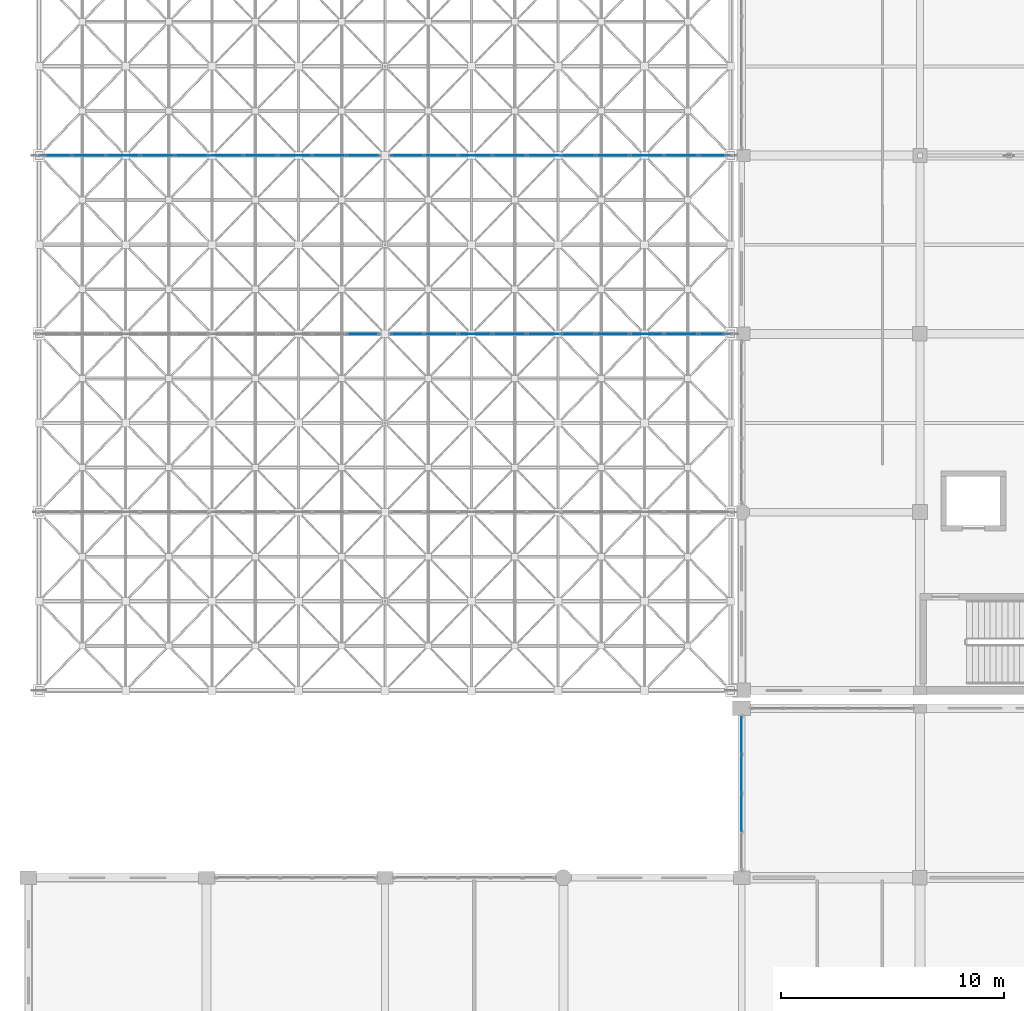
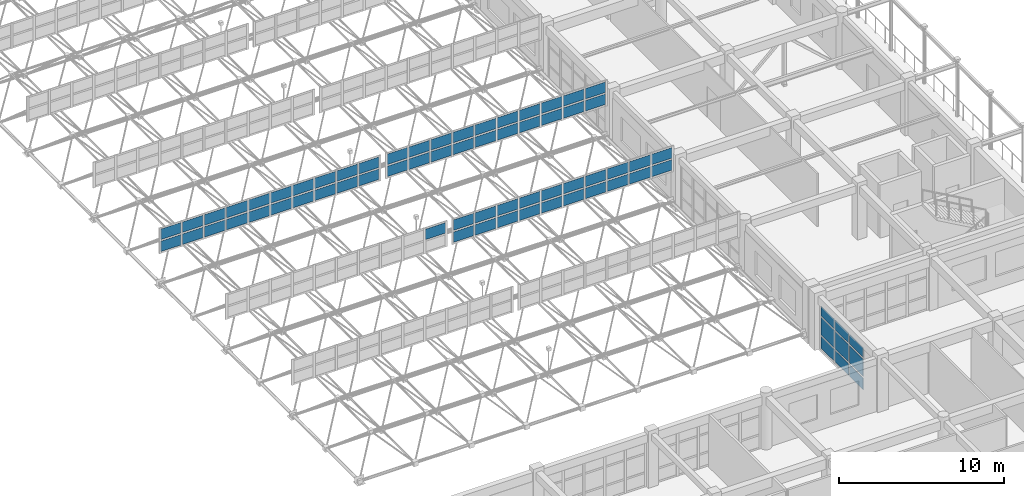
# One storey, part 144 of 195: 70 plates, 5 elements without a shape of their own.
"""IFC4 building model written with IfcOpenShell, lengths in metres."""

import ifcopenshell
import ifcopenshell.guid

model = None  # the IFC model being written
_history = None  # IfcOwnerHistory: only IFC2X3 demands one
_inside = {}  # id of a spatial element -> (the spatial element, [elements in it])
_under = {}  # id of a project, library or spatial element -> (it, [spatial elements below it])
_declared = {}  # id of a project -> (the project, [libraries it declares])
_typed = {}  # id of a type object -> (the type object, [elements of that type])
_made_of = {}  # id of a material, layer set ... -> (it, [elements and type objects made of it])


def new_model(schema):
    """Start an empty IFC model of exactly this schema.

    Asked for "IFC4X3", IfcOpenShell would pick the latest addendum, in which some entities
    have other attributes; the version numbers below select the first issue.
    IFC2X3 requires an IfcOwnerHistory on every rooted entity: one is made here for all.
    """
    global model, _history
    if schema == "IFC4X3":
        model = ifcopenshell.file(schema_version=(4, 3, 0, 0))
    else:
        model = ifcopenshell.file(schema=schema)
    _inside.clear()
    _under.clear()
    _declared.clear()
    _typed.clear()
    _made_of.clear()
    _history = None
    if model.schema == "IFC2X3":
        org = make("IfcOrganization", Name="unknown")
        user = make(
            "IfcPersonAndOrganization",
            ThePerson=make("IfcPerson", FamilyName="unknown"),
            TheOrganization=org,
        )
        app = make(
            "IfcApplication",
            ApplicationDeveloper=org,
            Version="unknown",
            ApplicationFullName="unknown",
            ApplicationIdentifier="unknown",
        )
        _history = make(
            "IfcOwnerHistory",
            OwningUser=user,
            OwningApplication=app,
            ChangeAction="ADDED",
            CreationDate=0,
        )
    return model


def make(cls, **values):
    """One entity of the class cls with the attributes given. An attribute that is None is left unset."""
    return model.create_entity(
        cls, **{name: value for name, value in values.items() if value is not None}
    )


def rooted(cls, **values):
    """An entity with a GlobalId (a new one), such as an element, a storey or a relation."""
    return make(cls, GlobalId=ifcopenshell.guid.new(), OwnerHistory=_history, **values)


def si_unit(unit_type, name, prefix=None):
    """IfcSIUnit, for example si_unit("LENGTHUNIT", "METRE", prefix="MILLI")."""
    return make("IfcSIUnit", UnitType=unit_type, Prefix=prefix, Name=name)


def assignment(units):
    """IfcUnitAssignment: the units of a project."""
    return None if units is None else make("IfcUnitAssignment", Units=units)


def point(xyz):
    """IfcCartesianPoint."""
    return None if xyz is None else make("IfcCartesianPoint", Coordinates=xyz)


def direction(xyz):
    """IfcDirection."""
    return None if xyz is None else make("IfcDirection", DirectionRatios=xyz)


def frame(location, z_axis=None, x_axis=None):
    """IfcAxis2Placement3D, a coordinate frame: its origin and axes. An axis left out is left unset."""
    return make(
        "IfcAxis2Placement3D",
        Location=point(location),
        Axis=direction(z_axis),
        RefDirection=direction(x_axis),
    )


def frame_2d(location, x_axis=None):
    """IfcAxis2Placement2D, a coordinate frame in the plane: its origin and x axis."""
    return make(
        "IfcAxis2Placement2D", Location=point(location), RefDirection=direction(x_axis)
    )


def origin():
    """The frame at (0, 0, 0) with its axes left unset."""
    return frame((0.0, 0.0, 0.0))


def origin_2d():
    """The frame at (0, 0) in the plane with its x axis left unset."""
    return frame_2d((0.0, 0.0))


def place(relative_to, where):
    """IfcLocalPlacement: puts the frame where relative to a parent placement (None: the world)."""
    return make(
        "IfcLocalPlacement", PlacementRelTo=relative_to, RelativePlacement=where
    )


def context(
    kind, dimensions, precision=None, world=None, true_north=None, identifier=None
):
    """IfcGeometricRepresentationContext, for example the 3D "Model" context."""
    return make(
        "IfcGeometricRepresentationContext",
        ContextIdentifier=identifier,
        ContextType=kind,
        CoordinateSpaceDimension=dimensions,
        Precision=precision,
        WorldCoordinateSystem=world,
        TrueNorth=true_north,
    )


def subcontext(parent, identifier, kind, view, scale=None):
    """IfcGeometricRepresentationSubContext, for example "Body" below "Model"."""
    return make(
        "IfcGeometricRepresentationSubContext",
        ContextIdentifier=identifier,
        ContextType=kind,
        ParentContext=parent,
        TargetScale=scale,
        TargetView=view,
    )


def project(units=None, contexts=None):
    """IfcProject with its units and contexts."""
    return rooted(
        "IfcProject",
        Name="project",
        RepresentationContexts=contexts,
        UnitsInContext=assignment(units),
    )


def spatial(cls, under=None, at=None, **own):
    """A site, building, storey or space (cls), placed at a placement, below another one or the project."""
    s = rooted(cls, ObjectPlacement=at, **own)
    if under is not None:
        _under.setdefault(under.id(), (under, []))[1].append(s)
    return s


def profile(cls, at=None, kind="AREA", **sizes):
    """A parametric profile (cls). Its sizes go by their IFC names, for example OverallWidth=200.0."""
    return make(cls, ProfileType=kind, Position=at, **sizes)


def rectangle(**sizes):
    """IfcRectangleProfileDef."""
    return profile("IfcRectangleProfileDef", **sizes)


def extrude(swept, where, along, depth):
    """IfcExtrudedAreaSolid: the profile swept, set in the frame where, extruded along a direction by depth."""
    return make(
        "IfcExtrudedAreaSolid",
        SweptArea=swept,
        Position=where,
        ExtrudedDirection=direction(along),
        Depth=depth,
    )


def shape(context_of_items, identifier, shape_type, items):
    """IfcShapeRepresentation: the items that make up one representation, for example the "Body"."""
    return make(
        "IfcShapeRepresentation",
        ContextOfItems=context_of_items,
        RepresentationIdentifier=identifier,
        RepresentationType=shape_type,
        Items=items,
    )


def material(Name=None, Category=None):
    """IfcMaterial."""
    return make("IfcMaterial", Name=Name, Category=Category)


def layer(
    of_material, thickness, ventilated=None, Name=None, Category=None, Priority=None
):
    """IfcMaterialLayer: one layer of a wall or slab, of a material (None: an air gap)."""
    return make(
        "IfcMaterialLayer",
        Material=of_material,
        LayerThickness=thickness,
        IsVentilated=ventilated,
        Name=Name,
        Category=Category,
        Priority=Priority,
    )


def layer_set(layers, Name=None):
    """IfcMaterialLayerSet."""
    return make("IfcMaterialLayerSet", MaterialLayers=layers, LayerSetName=Name)


def made_of(thing, what):
    """Note that an element or type object is made of a material, layer set ...; save() writes the relation."""
    if what is not None:
        _made_of.setdefault(what.id(), (what, []))[1].append(thing)
    return thing


def type_object(cls, material=None, **own):
    """A type object (cls), such as IfcWallType, which elements share."""
    return made_of(rooted(cls, **own), material)


def element(
    cls,
    number,
    at=None,
    inside=None,
    cuts=None,
    type_object=None,
    material=None,
    context=None,
    identifier="Body",
    shape_type=None,
    held_by="IfcProductDefinitionShape",
    body=None,
    shapes=None,
    **own,
):
    """One element of the class cls, such as IfcWall. Its Tag is "e" and its number.

    at: its placement. inside: the storey or other place that contains it. cuts: it is an
    opening in that element (IfcRelVoidsElement). A single representation is given by context,
    identifier, shape_type and body (its items); several are given by shapes. held_by: the class
    of the entity that holds the representations. save() writes the other relations.
    """
    e = rooted(cls, Tag="e%d" % number, ObjectPlacement=at, **own)
    if body is not None:
        shapes = [shape(context, identifier, shape_type, body)]
    if shapes is not None:
        e.Representation = make(held_by, Representations=shapes)
    if inside is not None:
        _inside.setdefault(inside.id(), (inside, []))[1].append(e)
    if cuts is not None:
        rooted(
            "IfcRelVoidsElement", RelatingBuildingElement=cuts, RelatedOpeningElement=e
        )
    if type_object is not None:
        _typed.setdefault(type_object.id(), (type_object, []))[1].append(e)
    return made_of(e, material)


def aggregate(whole, parts):
    """IfcRelAggregates: a whole, such as a stair, and the parts it consists of."""
    return rooted("IfcRelAggregates", RelatingObject=whole, RelatedObjects=parts)


def save(model, path):
    """Write the relations noted so far, then the file.

    IfcRelAggregates (storeys below a building ...), IfcRelContainedInSpatialStructure (elements
    in a storey), IfcRelDefinesByType, IfcRelAssociatesMaterial and IfcRelDeclares: one each for
    every whole, place, type object, material and project.
    """
    for whole, parts in _under.values():
        aggregate(whole, parts)
    for where, things in _inside.values():
        rooted(
            "IfcRelContainedInSpatialStructure",
            RelatedElements=things,
            RelatingStructure=where,
        )
    for kind, things in _typed.values():
        rooted("IfcRelDefinesByType", RelatedObjects=things, RelatingType=kind)
    for what, things in _made_of.values():
        rooted("IfcRelAssociatesMaterial", RelatedObjects=things, RelatingMaterial=what)
    for by, libraries in _declared.values():
        rooted("IfcRelDeclares", RelatingContext=by, RelatedDefinitions=libraries)
    model.write(path)


model = new_model("IFC4")

# Units and contexts
model_context = context("Model", 3, precision=1e-05, world=origin(), true_north=direction((0.0, 1.0)))
body_context = subcontext(model_context, "Body", "Model", "MODEL_VIEW")
ifc_project = project(units=[si_unit("LENGTHUNIT", "METRE"), si_unit("AREAUNIT", "SQUARE_METRE"), si_unit("VOLUMEUNIT", "CUBIC_METRE"), si_unit("PLANEANGLEUNIT", "RADIAN"), si_unit("MASSUNIT", "GRAM", prefix="KILO")], contexts=[model_context])

# Site, building, storey
site_placement = place(None, origin())
site = spatial("IfcSite", under=ifc_project, at=site_placement, CompositionType="ELEMENT")
building_placement = place(site_placement, origin())
building = spatial("IfcBuilding", under=site, at=building_placement, Name="Kharva Crest Polytechnic", CompositionType="ELEMENT")
storey_placement = place(building_placement, frame((0.0, 0.0, 9.0)))
storey = spatial("IfcBuildingStorey", under=building, at=storey_placement, Name="L02", CompositionType="ELEMENT", Elevation=9.0)

# Curtain wall, plates
ifc_material = material(Name="Tempered insulated glass", Category="glass")
curtain_wall_type_1 = type_object("IfcCurtainWallType", Name="CW-SYS-COURT", PredefinedType="USERDEFINED", material=ifc_material)
curtain_wall_1_placement = place(storey_placement, origin())
curtain_wall_1 = element("IfcCurtainWall", 1, at=curtain_wall_1_placement, inside=storey, type_object=curtain_wall_type_1, Name="L02 Glazed Curtain Wall CW-088", ObjectType="CURTAIN WALL", PredefinedType="USERDEFINED")
ifc_layer_1 = layer(ifc_material, 0.02392578125, Name="Tempered insulated glass")
ifc_layer_set_1 = layer_set([ifc_layer_1], Name="Tempered insulated glass")
plate_type_1 = type_object("IfcPlateType", Name="CWP-GLZ-24", PredefinedType="CURTAIN_PANEL", material=ifc_layer_set_1)
plate_1_placement = place(storey_placement, frame((32.0, 36.779296875, 0.119873046875), z_axis=(0.0, 0.0, 1.0), x_axis=(0.0, -1.0, 0.0)))
plate_1 = element("IfcPlate", 2, at=plate_1_placement, type_object=plate_type_1, Name="CW-088 panel 1.1", PredefinedType="CURTAIN_PANEL", context=body_context, shape_type="SweptSolid", body=[
    extrude(rectangle(XDim=1.621337890625, YDim=0.02392578125, at=origin_2d()), origin(), (0.0, 0.0, 1.0), 0.8701171875),
])
plate_2_placement = place(storey_placement, frame((32.0, 36.779296875, 1.10986328125), z_axis=(0.0, 0.0, 1.0), x_axis=(0.0, -1.0, 0.0)))
plate_2 = element("IfcPlate", 3, at=plate_2_placement, type_object=plate_type_1, Name="CW-088 panel 1.2", PredefinedType="CURTAIN_PANEL", context=body_context, shape_type="SweptSolid", body=[
    extrude(rectangle(XDim=1.621337890625, YDim=0.02392578125, at=origin_2d()), origin(), (0.0, 0.0, 1.0), 1.280029296875),
])
plate_3_placement = place(storey_placement, frame((32.0, 36.779296875, 2.510009765625), z_axis=(0.0, 0.0, 1.0), x_axis=(0.0, -1.0, 0.0)))
plate_3 = element("IfcPlate", 4, at=plate_3_placement, type_object=plate_type_1, Name="CW-088 panel 1.3", PredefinedType="CURTAIN_PANEL", context=body_context, shape_type="SweptSolid", body=[
    extrude(rectangle(XDim=1.621337890625, YDim=0.02392578125, at=origin_2d()), origin(), (0.0, 0.0, 1.0), 0.7099609375),
])
plate_4_placement = place(storey_placement, frame((32.0, 35.05810546875, 0.119873046875), z_axis=(0.0, 0.0, 1.0), x_axis=(0.0, -1.0, 0.0)))
plate_4 = element("IfcPlate", 5, at=plate_4_placement, type_object=plate_type_1, Name="CW-088 panel 2.1", PredefinedType="CURTAIN_PANEL", context=body_context, shape_type="SweptSolid", body=[
    extrude(rectangle(XDim=1.6611328125, YDim=0.02392578125, at=origin_2d()), origin(), (0.0, 0.0, 1.0), 0.8701171875),
])
plate_5_placement = place(storey_placement, frame((32.0, 35.05810546875, 1.10986328125), z_axis=(0.0, 0.0, 1.0), x_axis=(0.0, -1.0, 0.0)))
plate_5 = element("IfcPlate", 6, at=plate_5_placement, type_object=plate_type_1, Name="CW-088 panel 2.2", PredefinedType="CURTAIN_PANEL", context=body_context, shape_type="SweptSolid", body=[
    extrude(rectangle(XDim=1.6611328125, YDim=0.02392578125, at=origin_2d()), origin(), (0.0, 0.0, 1.0), 1.280029296875),
])
plate_6_placement = place(storey_placement, frame((32.0, 35.05810546875, 2.510009765625), z_axis=(0.0, 0.0, 1.0), x_axis=(0.0, -1.0, 0.0)))
plate_6 = element("IfcPlate", 7, at=plate_6_placement, type_object=plate_type_1, Name="CW-088 panel 2.3", PredefinedType="CURTAIN_PANEL", context=body_context, shape_type="SweptSolid", body=[
    extrude(rectangle(XDim=1.6611328125, YDim=0.02392578125, at=origin_2d()), origin(), (0.0, 0.0, 1.0), 0.7099609375),
])
plate_7_placement = place(storey_placement, frame((32.0, 33.31689453125, 0.119873046875), z_axis=(0.0, 0.0, 1.0), x_axis=(0.0, -1.0, 0.0)))
plate_7 = element("IfcPlate", 8, at=plate_7_placement, type_object=plate_type_1, Name="CW-088 panel 3.1", PredefinedType="CURTAIN_PANEL", context=body_context, shape_type="SweptSolid", body=[
    extrude(rectangle(XDim=1.6611328125, YDim=0.02392578125, at=origin_2d()), origin(), (0.0, 0.0, 1.0), 0.8701171875),
])
plate_8_placement = place(storey_placement, frame((32.0, 33.31689453125, 1.10986328125), z_axis=(0.0, 0.0, 1.0), x_axis=(0.0, -1.0, 0.0)))
plate_8 = element("IfcPlate", 9, at=plate_8_placement, type_object=plate_type_1, Name="CW-088 panel 3.2", PredefinedType="CURTAIN_PANEL", context=body_context, shape_type="SweptSolid", body=[
    extrude(rectangle(XDim=1.6611328125, YDim=0.02392578125, at=origin_2d()), origin(), (0.0, 0.0, 1.0), 1.280029296875),
])
plate_9_placement = place(storey_placement, frame((32.0, 33.31689453125, 2.510009765625), z_axis=(0.0, 0.0, 1.0), x_axis=(0.0, -1.0, 0.0)))
plate_9 = element("IfcPlate", 10, at=plate_9_placement, type_object=plate_type_1, Name="CW-088 panel 3.3", PredefinedType="CURTAIN_PANEL", context=body_context, shape_type="SweptSolid", body=[
    extrude(rectangle(XDim=1.6611328125, YDim=0.02392578125, at=origin_2d()), origin(), (0.0, 0.0, 1.0), 0.7099609375),
])
aggregate(curtain_wall_1, [plate_1, plate_2, plate_3, plate_4, plate_5, plate_6, plate_7, plate_8, plate_9])

# Curtain wall, plate
curtain_wall_type_2 = type_object("IfcCurtainWallType", Name="CW-SYS-NORTHLIGHT", PredefinedType="USERDEFINED", material=ifc_material)
curtain_wall_2_placement = place(storey_placement, origin())
curtain_wall_2 = element("IfcCurtainWall", 11, at=curtain_wall_2_placement, inside=storey, type_object=curtain_wall_type_2, Name="L02 Glazed Curtain Wall CW-191", ObjectType="CURTAIN WALL", PredefinedType="USERDEFINED")
ifc_layer_2 = layer(ifc_material, 0.028076171875, Name="Tempered insulated glass")
ifc_layer_set_2 = layer_set([ifc_layer_2], Name="Tempered insulated glass")
plate_type_2 = type_object("IfcPlateType", Name="CWP-GLZ-28", PredefinedType="CURTAIN_PANEL", material=ifc_layer_set_2)
plate_10_placement = place(storey_placement, frame((15.010009765625, 54.800048828125, 3.860107421875), z_axis=(0.0, 0.0, 1.0), x_axis=(1.0, 0.0, 0.0)))
plate_10 = element("IfcPlate", 12, at=plate_10_placement, type_object=plate_type_2, Name="CW-191 panel 10.2", PredefinedType="CURTAIN_PANEL", context=body_context, shape_type="SweptSolid", body=[
    extrude(rectangle(XDim=1.419921875, YDim=0.028076171875, at=origin_2d()), origin(), (0.0, 0.0, 1.0), 0.77001953125),
])
aggregate(curtain_wall_2, [plate_10])

# Curtain wall, plates
curtain_wall_3_placement = place(storey_placement, origin())
curtain_wall_3 = element("IfcCurtainWall", 13, at=curtain_wall_3_placement, inside=storey, type_object=curtain_wall_type_2, Name="L02 Glazed Curtain Wall CW-192", ObjectType="CURTAIN WALL", PredefinedType="USERDEFINED")
plate_11_placement = place(storey_placement, frame((16.989990234375, 54.800048828125, 2.969970703125), z_axis=(0.0, 0.0, 1.0), x_axis=(1.0, 0.0, 0.0)))
plate_11 = element("IfcPlate", 14, at=plate_11_placement, type_object=plate_type_2, Name="CW-192 panel 1.1", PredefinedType="CURTAIN_PANEL", context=body_context, shape_type="SweptSolid", body=[
    extrude(rectangle(XDim=1.419921875, YDim=0.028076171875, at=origin_2d()), origin(), (0.0, 0.0, 1.0), 0.77001953125),
])
plate_12_placement = place(storey_placement, frame((16.989990234375, 54.800048828125, 3.860107421875), z_axis=(0.0, 0.0, 1.0), x_axis=(1.0, 0.0, 0.0)))
plate_12 = element("IfcPlate", 15, at=plate_12_placement, type_object=plate_type_2, Name="CW-192 panel 1.2", PredefinedType="CURTAIN_PANEL", context=body_context, shape_type="SweptSolid", body=[
    extrude(rectangle(XDim=1.419921875, YDim=0.028076171875, at=origin_2d()), origin(), (0.0, 0.0, 1.0), 0.77001953125),
])
plate_13_placement = place(storey_placement, frame((18.510009765625, 54.800048828125, 2.969970703125), z_axis=(0.0, 0.0, 1.0), x_axis=(1.0, 0.0, 0.0)))
plate_13 = element("IfcPlate", 16, at=plate_13_placement, type_object=plate_type_2, Name="CW-192 panel 2.1", PredefinedType="CURTAIN_PANEL", context=body_context, shape_type="SweptSolid", body=[
    extrude(rectangle(XDim=1.4599609375, YDim=0.028076171875, at=origin_2d()), origin(), (0.0, 0.0, 1.0), 0.77001953125),
])
plate_14_placement = place(storey_placement, frame((18.510009765625, 54.800048828125, 3.860107421875), z_axis=(0.0, 0.0, 1.0), x_axis=(1.0, 0.0, 0.0)))
plate_14 = element("IfcPlate", 17, at=plate_14_placement, type_object=plate_type_2, Name="CW-192 panel 2.2", PredefinedType="CURTAIN_PANEL", context=body_context, shape_type="SweptSolid", body=[
    extrude(rectangle(XDim=1.4599609375, YDim=0.028076171875, at=origin_2d()), origin(), (0.0, 0.0, 1.0), 0.77001953125),
])
plate_15_placement = place(storey_placement, frame((20.050048828125, 54.800048828125, 2.969970703125), z_axis=(0.0, 0.0, 1.0), x_axis=(1.0, 0.0, 0.0)))
plate_15 = element("IfcPlate", 18, at=plate_15_placement, type_object=plate_type_2, Name="CW-192 panel 3.1", PredefinedType="CURTAIN_PANEL", context=body_context, shape_type="SweptSolid", body=[
    extrude(rectangle(XDim=1.4599609375, YDim=0.028076171875, at=origin_2d()), origin(), (0.0, 0.0, 1.0), 0.77001953125),
])
plate_16_placement = place(storey_placement, frame((20.050048828125, 54.800048828125, 3.860107421875), z_axis=(0.0, 0.0, 1.0), x_axis=(1.0, 0.0, 0.0)))
plate_16 = element("IfcPlate", 19, at=plate_16_placement, type_object=plate_type_2, Name="CW-192 panel 3.2", PredefinedType="CURTAIN_PANEL", context=body_context, shape_type="SweptSolid", body=[
    extrude(rectangle(XDim=1.4599609375, YDim=0.028076171875, at=origin_2d()), origin(), (0.0, 0.0, 1.0), 0.77001953125),
])
plate_17_placement = place(storey_placement, frame((21.590087890625, 54.800048828125, 2.969970703125), z_axis=(0.0, 0.0, 1.0), x_axis=(1.0, 0.0, 0.0)))
plate_17 = element("IfcPlate", 20, at=plate_17_placement, type_object=plate_type_2, Name="CW-192 panel 4.1", PredefinedType="CURTAIN_PANEL", context=body_context, shape_type="SweptSolid", body=[
    extrude(rectangle(XDim=1.4599609375, YDim=0.028076171875, at=origin_2d()), origin(), (0.0, 0.0, 1.0), 0.77001953125),
])
plate_18_placement = place(storey_placement, frame((21.590087890625, 54.800048828125, 3.860107421875), z_axis=(0.0, 0.0, 1.0), x_axis=(1.0, 0.0, 0.0)))
plate_18 = element("IfcPlate", 21, at=plate_18_placement, type_object=plate_type_2, Name="CW-192 panel 4.2", PredefinedType="CURTAIN_PANEL", context=body_context, shape_type="SweptSolid", body=[
    extrude(rectangle(XDim=1.4599609375, YDim=0.028076171875, at=origin_2d()), origin(), (0.0, 0.0, 1.0), 0.77001953125),
])
plate_19_placement = place(storey_placement, frame((23.1298828125, 54.800048828125, 2.969970703125), z_axis=(0.0, 0.0, 1.0), x_axis=(1.0, 0.0, 0.0)))
plate_19 = element("IfcPlate", 22, at=plate_19_placement, type_object=plate_type_2, Name="CW-192 panel 5.1", PredefinedType="CURTAIN_PANEL", context=body_context, shape_type="SweptSolid", body=[
    extrude(rectangle(XDim=1.4599609375, YDim=0.028076171875, at=origin_2d()), origin(), (0.0, 0.0, 1.0), 0.77001953125),
])
plate_20_placement = place(storey_placement, frame((23.1298828125, 54.800048828125, 3.860107421875), z_axis=(0.0, 0.0, 1.0), x_axis=(1.0, 0.0, 0.0)))
plate_20 = element("IfcPlate", 23, at=plate_20_placement, type_object=plate_type_2, Name="CW-192 panel 5.2", PredefinedType="CURTAIN_PANEL", context=body_context, shape_type="SweptSolid", body=[
    extrude(rectangle(XDim=1.4599609375, YDim=0.028076171875, at=origin_2d()), origin(), (0.0, 0.0, 1.0), 0.77001953125),
])
plate_21_placement = place(storey_placement, frame((24.669921875, 54.800048828125, 2.969970703125), z_axis=(0.0, 0.0, 1.0), x_axis=(1.0, 0.0, 0.0)))
plate_21 = element("IfcPlate", 24, at=plate_21_placement, type_object=plate_type_2, Name="CW-192 panel 6.1", PredefinedType="CURTAIN_PANEL", context=body_context, shape_type="SweptSolid", body=[
    extrude(rectangle(XDim=1.4599609375, YDim=0.028076171875, at=origin_2d()), origin(), (0.0, 0.0, 1.0), 0.77001953125),
])
plate_22_placement = place(storey_placement, frame((24.669921875, 54.800048828125, 3.860107421875), z_axis=(0.0, 0.0, 1.0), x_axis=(1.0, 0.0, 0.0)))
plate_22 = element("IfcPlate", 25, at=plate_22_placement, type_object=plate_type_2, Name="CW-192 panel 6.2", PredefinedType="CURTAIN_PANEL", context=body_context, shape_type="SweptSolid", body=[
    extrude(rectangle(XDim=1.4599609375, YDim=0.028076171875, at=origin_2d()), origin(), (0.0, 0.0, 1.0), 0.77001953125),
])
plate_23_placement = place(storey_placement, frame((26.2099609375, 54.800048828125, 2.969970703125), z_axis=(0.0, 0.0, 1.0), x_axis=(1.0, 0.0, 0.0)))
plate_23 = element("IfcPlate", 26, at=plate_23_placement, type_object=plate_type_2, Name="CW-192 panel 7.1", PredefinedType="CURTAIN_PANEL", context=body_context, shape_type="SweptSolid", body=[
    extrude(rectangle(XDim=1.4599609375, YDim=0.028076171875, at=origin_2d()), origin(), (0.0, 0.0, 1.0), 0.77001953125),
])
plate_24_placement = place(storey_placement, frame((26.2099609375, 54.800048828125, 3.860107421875), z_axis=(0.0, 0.0, 1.0), x_axis=(1.0, 0.0, 0.0)))
plate_24 = element("IfcPlate", 27, at=plate_24_placement, type_object=plate_type_2, Name="CW-192 panel 7.2", PredefinedType="CURTAIN_PANEL", context=body_context, shape_type="SweptSolid", body=[
    extrude(rectangle(XDim=1.4599609375, YDim=0.028076171875, at=origin_2d()), origin(), (0.0, 0.0, 1.0), 0.77001953125),
])
plate_25_placement = place(storey_placement, frame((27.75, 54.800048828125, 2.969970703125), z_axis=(0.0, 0.0, 1.0), x_axis=(1.0, 0.0, 0.0)))
plate_25 = element("IfcPlate", 28, at=plate_25_placement, type_object=plate_type_2, Name="CW-192 panel 8.1", PredefinedType="CURTAIN_PANEL", context=body_context, shape_type="SweptSolid", body=[
    extrude(rectangle(XDim=1.4599609375, YDim=0.028076171875, at=origin_2d()), origin(), (0.0, 0.0, 1.0), 0.77001953125),
])
plate_26_placement = place(storey_placement, frame((27.75, 54.800048828125, 3.860107421875), z_axis=(0.0, 0.0, 1.0), x_axis=(1.0, 0.0, 0.0)))
plate_26 = element("IfcPlate", 29, at=plate_26_placement, type_object=plate_type_2, Name="CW-192 panel 8.2", PredefinedType="CURTAIN_PANEL", context=body_context, shape_type="SweptSolid", body=[
    extrude(rectangle(XDim=1.4599609375, YDim=0.028076171875, at=origin_2d()), origin(), (0.0, 0.0, 1.0), 0.77001953125),
])
plate_27_placement = place(storey_placement, frame((29.2900390625, 54.800048828125, 2.969970703125), z_axis=(0.0, 0.0, 1.0), x_axis=(1.0, 0.0, 0.0)))
plate_27 = element("IfcPlate", 30, at=plate_27_placement, type_object=plate_type_2, Name="CW-192 panel 9.1", PredefinedType="CURTAIN_PANEL", context=body_context, shape_type="SweptSolid", body=[
    extrude(rectangle(XDim=1.4599609375, YDim=0.028076171875, at=origin_2d()), origin(), (0.0, 0.0, 1.0), 0.77001953125),
])
plate_28_placement = place(storey_placement, frame((29.2900390625, 54.800048828125, 3.860107421875), z_axis=(0.0, 0.0, 1.0), x_axis=(1.0, 0.0, 0.0)))
plate_28 = element("IfcPlate", 31, at=plate_28_placement, type_object=plate_type_2, Name="CW-192 panel 9.2", PredefinedType="CURTAIN_PANEL", context=body_context, shape_type="SweptSolid", body=[
    extrude(rectangle(XDim=1.4599609375, YDim=0.028076171875, at=origin_2d()), origin(), (0.0, 0.0, 1.0), 0.77001953125),
])
plate_29_placement = place(storey_placement, frame((30.81005859375, 54.800048828125, 2.969970703125), z_axis=(0.0, 0.0, 1.0), x_axis=(1.0, 0.0, 0.0)))
plate_29 = element("IfcPlate", 32, at=plate_29_placement, type_object=plate_type_2, Name="CW-192 panel 10.1", PredefinedType="CURTAIN_PANEL", context=body_context, shape_type="SweptSolid", body=[
    extrude(rectangle(XDim=1.419921875, YDim=0.028076171875, at=origin_2d()), origin(), (0.0, 0.0, 1.0), 0.77001953125),
])
plate_30_placement = place(storey_placement, frame((30.81005859375, 54.800048828125, 3.860107421875), z_axis=(0.0, 0.0, 1.0), x_axis=(1.0, 0.0, 0.0)))
plate_30 = element("IfcPlate", 33, at=plate_30_placement, type_object=plate_type_2, Name="CW-192 panel 10.2", PredefinedType="CURTAIN_PANEL", context=body_context, shape_type="SweptSolid", body=[
    extrude(rectangle(XDim=1.419921875, YDim=0.028076171875, at=origin_2d()), origin(), (0.0, 0.0, 1.0), 0.77001953125),
])
aggregate(curtain_wall_3, [plate_11, plate_12, plate_13, plate_14, plate_15, plate_16, plate_17, plate_18, plate_19, plate_20, plate_21, plate_22, plate_23, plate_24, plate_25, plate_26, plate_27, plate_28, plate_29, plate_30])

curtain_wall_4_placement = place(storey_placement, origin())
curtain_wall_4 = element("IfcCurtainWall", 34, at=curtain_wall_4_placement, inside=storey, type_object=curtain_wall_type_2, Name="L02 Glazed Curtain Wall CW-193", ObjectType="CURTAIN WALL", PredefinedType="USERDEFINED")
plate_31_placement = place(storey_placement, frame((1.18994140625, 62.800048828125, 2.969970703125), z_axis=(0.0, 0.0, 1.0), x_axis=(1.0, 0.0, 0.0)))
plate_31 = element("IfcPlate", 35, at=plate_31_placement, type_object=plate_type_2, Name="CW-193 panel 1.1", PredefinedType="CURTAIN_PANEL", context=body_context, shape_type="SweptSolid", body=[
    extrude(rectangle(XDim=1.419921875, YDim=0.028076171875, at=origin_2d()), origin(), (0.0, 0.0, 1.0), 0.77001953125),
])
plate_32_placement = place(storey_placement, frame((1.18994140625, 62.800048828125, 3.860107421875), z_axis=(0.0, 0.0, 1.0), x_axis=(1.0, 0.0, 0.0)))
plate_32 = element("IfcPlate", 36, at=plate_32_placement, type_object=plate_type_2, Name="CW-193 panel 1.2", PredefinedType="CURTAIN_PANEL", context=body_context, shape_type="SweptSolid", body=[
    extrude(rectangle(XDim=1.419921875, YDim=0.028076171875, at=origin_2d()), origin(), (0.0, 0.0, 1.0), 0.77001953125),
])
plate_33_placement = place(storey_placement, frame((2.7099609375, 62.800048828125, 2.969970703125), z_axis=(0.0, 0.0, 1.0), x_axis=(1.0, 0.0, 0.0)))
plate_33 = element("IfcPlate", 37, at=plate_33_placement, type_object=plate_type_2, Name="CW-193 panel 2.1", PredefinedType="CURTAIN_PANEL", context=body_context, shape_type="SweptSolid", body=[
    extrude(rectangle(XDim=1.4599609375, YDim=0.028076171875, at=origin_2d()), origin(), (0.0, 0.0, 1.0), 0.77001953125),
])
plate_34_placement = place(storey_placement, frame((2.7099609375, 62.800048828125, 3.860107421875), z_axis=(0.0, 0.0, 1.0), x_axis=(1.0, 0.0, 0.0)))
plate_34 = element("IfcPlate", 38, at=plate_34_placement, type_object=plate_type_2, Name="CW-193 panel 2.2", PredefinedType="CURTAIN_PANEL", context=body_context, shape_type="SweptSolid", body=[
    extrude(rectangle(XDim=1.4599609375, YDim=0.028076171875, at=origin_2d()), origin(), (0.0, 0.0, 1.0), 0.77001953125),
])
plate_35_placement = place(storey_placement, frame((4.25, 62.800048828125, 2.969970703125), z_axis=(0.0, 0.0, 1.0), x_axis=(1.0, 0.0, 0.0)))
plate_35 = element("IfcPlate", 39, at=plate_35_placement, type_object=plate_type_2, Name="CW-193 panel 3.1", PredefinedType="CURTAIN_PANEL", context=body_context, shape_type="SweptSolid", body=[
    extrude(rectangle(XDim=1.4599609375, YDim=0.028076171875, at=origin_2d()), origin(), (0.0, 0.0, 1.0), 0.77001953125),
])
plate_36_placement = place(storey_placement, frame((4.25, 62.800048828125, 3.860107421875), z_axis=(0.0, 0.0, 1.0), x_axis=(1.0, 0.0, 0.0)))
plate_36 = element("IfcPlate", 40, at=plate_36_placement, type_object=plate_type_2, Name="CW-193 panel 3.2", PredefinedType="CURTAIN_PANEL", context=body_context, shape_type="SweptSolid", body=[
    extrude(rectangle(XDim=1.4599609375, YDim=0.028076171875, at=origin_2d()), origin(), (0.0, 0.0, 1.0), 0.77001953125),
])
plate_37_placement = place(storey_placement, frame((5.7900390625, 62.800048828125, 2.969970703125), z_axis=(0.0, 0.0, 1.0), x_axis=(1.0, 0.0, 0.0)))
plate_37 = element("IfcPlate", 41, at=plate_37_placement, type_object=plate_type_2, Name="CW-193 panel 4.1", PredefinedType="CURTAIN_PANEL", context=body_context, shape_type="SweptSolid", body=[
    extrude(rectangle(XDim=1.4599609375, YDim=0.028076171875, at=origin_2d()), origin(), (0.0, 0.0, 1.0), 0.77001953125),
])
plate_38_placement = place(storey_placement, frame((5.7900390625, 62.800048828125, 3.860107421875), z_axis=(0.0, 0.0, 1.0), x_axis=(1.0, 0.0, 0.0)))
plate_38 = element("IfcPlate", 42, at=plate_38_placement, type_object=plate_type_2, Name="CW-193 panel 4.2", PredefinedType="CURTAIN_PANEL", context=body_context, shape_type="SweptSolid", body=[
    extrude(rectangle(XDim=1.4599609375, YDim=0.028076171875, at=origin_2d()), origin(), (0.0, 0.0, 1.0), 0.77001953125),
])
plate_39_placement = place(storey_placement, frame((7.330078125, 62.800048828125, 2.969970703125), z_axis=(0.0, 0.0, 1.0), x_axis=(1.0, 0.0, 0.0)))
plate_39 = element("IfcPlate", 43, at=plate_39_placement, type_object=plate_type_2, Name="CW-193 panel 5.1", PredefinedType="CURTAIN_PANEL", context=body_context, shape_type="SweptSolid", body=[
    extrude(rectangle(XDim=1.4599609375, YDim=0.028076171875, at=origin_2d()), origin(), (0.0, 0.0, 1.0), 0.77001953125),
])
plate_40_placement = place(storey_placement, frame((7.330078125, 62.800048828125, 3.860107421875), z_axis=(0.0, 0.0, 1.0), x_axis=(1.0, 0.0, 0.0)))
plate_40 = element("IfcPlate", 44, at=plate_40_placement, type_object=plate_type_2, Name="CW-193 panel 5.2", PredefinedType="CURTAIN_PANEL", context=body_context, shape_type="SweptSolid", body=[
    extrude(rectangle(XDim=1.4599609375, YDim=0.028076171875, at=origin_2d()), origin(), (0.0, 0.0, 1.0), 0.77001953125),
])
plate_41_placement = place(storey_placement, frame((8.8701171875, 62.800048828125, 2.969970703125), z_axis=(0.0, 0.0, 1.0), x_axis=(1.0, 0.0, 0.0)))
plate_41 = element("IfcPlate", 45, at=plate_41_placement, type_object=plate_type_2, Name="CW-193 panel 6.1", PredefinedType="CURTAIN_PANEL", context=body_context, shape_type="SweptSolid", body=[
    extrude(rectangle(XDim=1.4599609375, YDim=0.028076171875, at=origin_2d()), origin(), (0.0, 0.0, 1.0), 0.77001953125),
])
plate_42_placement = place(storey_placement, frame((8.8701171875, 62.800048828125, 3.860107421875), z_axis=(0.0, 0.0, 1.0), x_axis=(1.0, 0.0, 0.0)))
plate_42 = element("IfcPlate", 46, at=plate_42_placement, type_object=plate_type_2, Name="CW-193 panel 6.2", PredefinedType="CURTAIN_PANEL", context=body_context, shape_type="SweptSolid", body=[
    extrude(rectangle(XDim=1.4599609375, YDim=0.028076171875, at=origin_2d()), origin(), (0.0, 0.0, 1.0), 0.77001953125),
])
plate_43_placement = place(storey_placement, frame((10.409912109375, 62.800048828125, 2.969970703125), z_axis=(0.0, 0.0, 1.0), x_axis=(1.0, 0.0, 0.0)))
plate_43 = element("IfcPlate", 47, at=plate_43_placement, type_object=plate_type_2, Name="CW-193 panel 7.1", PredefinedType="CURTAIN_PANEL", context=body_context, shape_type="SweptSolid", body=[
    extrude(rectangle(XDim=1.4599609375, YDim=0.028076171875, at=origin_2d()), origin(), (0.0, 0.0, 1.0), 0.77001953125),
])
plate_44_placement = place(storey_placement, frame((10.409912109375, 62.800048828125, 3.860107421875), z_axis=(0.0, 0.0, 1.0), x_axis=(1.0, 0.0, 0.0)))
plate_44 = element("IfcPlate", 48, at=plate_44_placement, type_object=plate_type_2, Name="CW-193 panel 7.2", PredefinedType="CURTAIN_PANEL", context=body_context, shape_type="SweptSolid", body=[
    extrude(rectangle(XDim=1.4599609375, YDim=0.028076171875, at=origin_2d()), origin(), (0.0, 0.0, 1.0), 0.77001953125),
])
plate_45_placement = place(storey_placement, frame((11.949951171875, 62.800048828125, 2.969970703125), z_axis=(0.0, 0.0, 1.0), x_axis=(1.0, 0.0, 0.0)))
plate_45 = element("IfcPlate", 49, at=plate_45_placement, type_object=plate_type_2, Name="CW-193 panel 8.1", PredefinedType="CURTAIN_PANEL", context=body_context, shape_type="SweptSolid", body=[
    extrude(rectangle(XDim=1.4599609375, YDim=0.028076171875, at=origin_2d()), origin(), (0.0, 0.0, 1.0), 0.77001953125),
])
plate_46_placement = place(storey_placement, frame((11.949951171875, 62.800048828125, 3.860107421875), z_axis=(0.0, 0.0, 1.0), x_axis=(1.0, 0.0, 0.0)))
plate_46 = element("IfcPlate", 50, at=plate_46_placement, type_object=plate_type_2, Name="CW-193 panel 8.2", PredefinedType="CURTAIN_PANEL", context=body_context, shape_type="SweptSolid", body=[
    extrude(rectangle(XDim=1.4599609375, YDim=0.028076171875, at=origin_2d()), origin(), (0.0, 0.0, 1.0), 0.77001953125),
])
plate_47_placement = place(storey_placement, frame((13.489990234375, 62.800048828125, 2.969970703125), z_axis=(0.0, 0.0, 1.0), x_axis=(1.0, 0.0, 0.0)))
plate_47 = element("IfcPlate", 51, at=plate_47_placement, type_object=plate_type_2, Name="CW-193 panel 9.1", PredefinedType="CURTAIN_PANEL", context=body_context, shape_type="SweptSolid", body=[
    extrude(rectangle(XDim=1.4599609375, YDim=0.028076171875, at=origin_2d()), origin(), (0.0, 0.0, 1.0), 0.77001953125),
])
plate_48_placement = place(storey_placement, frame((13.489990234375, 62.800048828125, 3.860107421875), z_axis=(0.0, 0.0, 1.0), x_axis=(1.0, 0.0, 0.0)))
plate_48 = element("IfcPlate", 52, at=plate_48_placement, type_object=plate_type_2, Name="CW-193 panel 9.2", PredefinedType="CURTAIN_PANEL", context=body_context, shape_type="SweptSolid", body=[
    extrude(rectangle(XDim=1.4599609375, YDim=0.028076171875, at=origin_2d()), origin(), (0.0, 0.0, 1.0), 0.77001953125),
])
plate_49_placement = place(storey_placement, frame((15.010009765625, 62.800048828125, 2.969970703125), z_axis=(0.0, 0.0, 1.0), x_axis=(1.0, 0.0, 0.0)))
plate_49 = element("IfcPlate", 53, at=plate_49_placement, type_object=plate_type_2, Name="CW-193 panel 10.1", PredefinedType="CURTAIN_PANEL", context=body_context, shape_type="SweptSolid", body=[
    extrude(rectangle(XDim=1.419921875, YDim=0.028076171875, at=origin_2d()), origin(), (0.0, 0.0, 1.0), 0.77001953125),
])
plate_50_placement = place(storey_placement, frame((15.010009765625, 62.800048828125, 3.860107421875), z_axis=(0.0, 0.0, 1.0), x_axis=(1.0, 0.0, 0.0)))
plate_50 = element("IfcPlate", 54, at=plate_50_placement, type_object=plate_type_2, Name="CW-193 panel 10.2", PredefinedType="CURTAIN_PANEL", context=body_context, shape_type="SweptSolid", body=[
    extrude(rectangle(XDim=1.419921875, YDim=0.028076171875, at=origin_2d()), origin(), (0.0, 0.0, 1.0), 0.77001953125),
])
aggregate(curtain_wall_4, [plate_31, plate_32, plate_33, plate_34, plate_35, plate_36, plate_37, plate_38, plate_39, plate_40, plate_41, plate_42, plate_43, plate_44, plate_45, plate_46, plate_47, plate_48, plate_49, plate_50])

curtain_wall_5_placement = place(storey_placement, origin())
curtain_wall_5 = element("IfcCurtainWall", 55, at=curtain_wall_5_placement, inside=storey, type_object=curtain_wall_type_2, Name="L02 Glazed Curtain Wall CW-194", ObjectType="CURTAIN WALL", PredefinedType="USERDEFINED")
plate_51_placement = place(storey_placement, frame((16.989990234375, 62.800048828125, 2.969970703125), z_axis=(0.0, 0.0, 1.0), x_axis=(1.0, 0.0, 0.0)))
plate_51 = element("IfcPlate", 56, at=plate_51_placement, type_object=plate_type_2, Name="CW-194 panel 1.1", PredefinedType="CURTAIN_PANEL", context=body_context, shape_type="SweptSolid", body=[
    extrude(rectangle(XDim=1.419921875, YDim=0.028076171875, at=origin_2d()), origin(), (0.0, 0.0, 1.0), 0.77001953125),
])
plate_52_placement = place(storey_placement, frame((16.989990234375, 62.800048828125, 3.860107421875), z_axis=(0.0, 0.0, 1.0), x_axis=(1.0, 0.0, 0.0)))
plate_52 = element("IfcPlate", 57, at=plate_52_placement, type_object=plate_type_2, Name="CW-194 panel 1.2", PredefinedType="CURTAIN_PANEL", context=body_context, shape_type="SweptSolid", body=[
    extrude(rectangle(XDim=1.419921875, YDim=0.028076171875, at=origin_2d()), origin(), (0.0, 0.0, 1.0), 0.77001953125),
])
plate_53_placement = place(storey_placement, frame((18.510009765625, 62.800048828125, 2.969970703125), z_axis=(0.0, 0.0, 1.0), x_axis=(1.0, 0.0, 0.0)))
plate_53 = element("IfcPlate", 58, at=plate_53_placement, type_object=plate_type_2, Name="CW-194 panel 2.1", PredefinedType="CURTAIN_PANEL", context=body_context, shape_type="SweptSolid", body=[
    extrude(rectangle(XDim=1.4599609375, YDim=0.028076171875, at=origin_2d()), origin(), (0.0, 0.0, 1.0), 0.77001953125),
])
plate_54_placement = place(storey_placement, frame((18.510009765625, 62.800048828125, 3.860107421875), z_axis=(0.0, 0.0, 1.0), x_axis=(1.0, 0.0, 0.0)))
plate_54 = element("IfcPlate", 59, at=plate_54_placement, type_object=plate_type_2, Name="CW-194 panel 2.2", PredefinedType="CURTAIN_PANEL", context=body_context, shape_type="SweptSolid", body=[
    extrude(rectangle(XDim=1.4599609375, YDim=0.028076171875, at=origin_2d()), origin(), (0.0, 0.0, 1.0), 0.77001953125),
])
plate_55_placement = place(storey_placement, frame((20.050048828125, 62.800048828125, 2.969970703125), z_axis=(0.0, 0.0, 1.0), x_axis=(1.0, 0.0, 0.0)))
plate_55 = element("IfcPlate", 60, at=plate_55_placement, type_object=plate_type_2, Name="CW-194 panel 3.1", PredefinedType="CURTAIN_PANEL", context=body_context, shape_type="SweptSolid", body=[
    extrude(rectangle(XDim=1.4599609375, YDim=0.028076171875, at=origin_2d()), origin(), (0.0, 0.0, 1.0), 0.77001953125),
])
plate_56_placement = place(storey_placement, frame((20.050048828125, 62.800048828125, 3.860107421875), z_axis=(0.0, 0.0, 1.0), x_axis=(1.0, 0.0, 0.0)))
plate_56 = element("IfcPlate", 61, at=plate_56_placement, type_object=plate_type_2, Name="CW-194 panel 3.2", PredefinedType="CURTAIN_PANEL", context=body_context, shape_type="SweptSolid", body=[
    extrude(rectangle(XDim=1.4599609375, YDim=0.028076171875, at=origin_2d()), origin(), (0.0, 0.0, 1.0), 0.77001953125),
])
plate_57_placement = place(storey_placement, frame((21.590087890625, 62.800048828125, 2.969970703125), z_axis=(0.0, 0.0, 1.0), x_axis=(1.0, 0.0, 0.0)))
plate_57 = element("IfcPlate", 62, at=plate_57_placement, type_object=plate_type_2, Name="CW-194 panel 4.1", PredefinedType="CURTAIN_PANEL", context=body_context, shape_type="SweptSolid", body=[
    extrude(rectangle(XDim=1.4599609375, YDim=0.028076171875, at=origin_2d()), origin(), (0.0, 0.0, 1.0), 0.77001953125),
])
plate_58_placement = place(storey_placement, frame((21.590087890625, 62.800048828125, 3.860107421875), z_axis=(0.0, 0.0, 1.0), x_axis=(1.0, 0.0, 0.0)))
plate_58 = element("IfcPlate", 63, at=plate_58_placement, type_object=plate_type_2, Name="CW-194 panel 4.2", PredefinedType="CURTAIN_PANEL", context=body_context, shape_type="SweptSolid", body=[
    extrude(rectangle(XDim=1.4599609375, YDim=0.028076171875, at=origin_2d()), origin(), (0.0, 0.0, 1.0), 0.77001953125),
])
plate_59_placement = place(storey_placement, frame((23.1298828125, 62.800048828125, 2.969970703125), z_axis=(0.0, 0.0, 1.0), x_axis=(1.0, 0.0, 0.0)))
plate_59 = element("IfcPlate", 64, at=plate_59_placement, type_object=plate_type_2, Name="CW-194 panel 5.1", PredefinedType="CURTAIN_PANEL", context=body_context, shape_type="SweptSolid", body=[
    extrude(rectangle(XDim=1.4599609375, YDim=0.028076171875, at=origin_2d()), origin(), (0.0, 0.0, 1.0), 0.77001953125),
])
plate_60_placement = place(storey_placement, frame((23.1298828125, 62.800048828125, 3.860107421875), z_axis=(0.0, 0.0, 1.0), x_axis=(1.0, 0.0, 0.0)))
plate_60 = element("IfcPlate", 65, at=plate_60_placement, type_object=plate_type_2, Name="CW-194 panel 5.2", PredefinedType="CURTAIN_PANEL", context=body_context, shape_type="SweptSolid", body=[
    extrude(rectangle(XDim=1.4599609375, YDim=0.028076171875, at=origin_2d()), origin(), (0.0, 0.0, 1.0), 0.77001953125),
])
plate_61_placement = place(storey_placement, frame((24.669921875, 62.800048828125, 2.969970703125), z_axis=(0.0, 0.0, 1.0), x_axis=(1.0, 0.0, 0.0)))
plate_61 = element("IfcPlate", 66, at=plate_61_placement, type_object=plate_type_2, Name="CW-194 panel 6.1", PredefinedType="CURTAIN_PANEL", context=body_context, shape_type="SweptSolid", body=[
    extrude(rectangle(XDim=1.4599609375, YDim=0.028076171875, at=origin_2d()), origin(), (0.0, 0.0, 1.0), 0.77001953125),
])
plate_62_placement = place(storey_placement, frame((24.669921875, 62.800048828125, 3.860107421875), z_axis=(0.0, 0.0, 1.0), x_axis=(1.0, 0.0, 0.0)))
plate_62 = element("IfcPlate", 67, at=plate_62_placement, type_object=plate_type_2, Name="CW-194 panel 6.2", PredefinedType="CURTAIN_PANEL", context=body_context, shape_type="SweptSolid", body=[
    extrude(rectangle(XDim=1.4599609375, YDim=0.028076171875, at=origin_2d()), origin(), (0.0, 0.0, 1.0), 0.77001953125),
])
plate_63_placement = place(storey_placement, frame((26.2099609375, 62.800048828125, 2.969970703125), z_axis=(0.0, 0.0, 1.0), x_axis=(1.0, 0.0, 0.0)))
plate_63 = element("IfcPlate", 68, at=plate_63_placement, type_object=plate_type_2, Name="CW-194 panel 7.1", PredefinedType="CURTAIN_PANEL", context=body_context, shape_type="SweptSolid", body=[
    extrude(rectangle(XDim=1.4599609375, YDim=0.028076171875, at=origin_2d()), origin(), (0.0, 0.0, 1.0), 0.77001953125),
])
plate_64_placement = place(storey_placement, frame((26.2099609375, 62.800048828125, 3.860107421875), z_axis=(0.0, 0.0, 1.0), x_axis=(1.0, 0.0, 0.0)))
plate_64 = element("IfcPlate", 69, at=plate_64_placement, type_object=plate_type_2, Name="CW-194 panel 7.2", PredefinedType="CURTAIN_PANEL", context=body_context, shape_type="SweptSolid", body=[
    extrude(rectangle(XDim=1.4599609375, YDim=0.028076171875, at=origin_2d()), origin(), (0.0, 0.0, 1.0), 0.77001953125),
])
plate_65_placement = place(storey_placement, frame((27.75, 62.800048828125, 2.969970703125), z_axis=(0.0, 0.0, 1.0), x_axis=(1.0, 0.0, 0.0)))
plate_65 = element("IfcPlate", 70, at=plate_65_placement, type_object=plate_type_2, Name="CW-194 panel 8.1", PredefinedType="CURTAIN_PANEL", context=body_context, shape_type="SweptSolid", body=[
    extrude(rectangle(XDim=1.4599609375, YDim=0.028076171875, at=origin_2d()), origin(), (0.0, 0.0, 1.0), 0.77001953125),
])
plate_66_placement = place(storey_placement, frame((27.75, 62.800048828125, 3.860107421875), z_axis=(0.0, 0.0, 1.0), x_axis=(1.0, 0.0, 0.0)))
plate_66 = element("IfcPlate", 71, at=plate_66_placement, type_object=plate_type_2, Name="CW-194 panel 8.2", PredefinedType="CURTAIN_PANEL", context=body_context, shape_type="SweptSolid", body=[
    extrude(rectangle(XDim=1.4599609375, YDim=0.028076171875, at=origin_2d()), origin(), (0.0, 0.0, 1.0), 0.77001953125),
])
plate_67_placement = place(storey_placement, frame((29.2900390625, 62.800048828125, 2.969970703125), z_axis=(0.0, 0.0, 1.0), x_axis=(1.0, 0.0, 0.0)))
plate_67 = element("IfcPlate", 72, at=plate_67_placement, type_object=plate_type_2, Name="CW-194 panel 9.1", PredefinedType="CURTAIN_PANEL", context=body_context, shape_type="SweptSolid", body=[
    extrude(rectangle(XDim=1.4599609375, YDim=0.028076171875, at=origin_2d()), origin(), (0.0, 0.0, 1.0), 0.77001953125),
])
plate_68_placement = place(storey_placement, frame((29.2900390625, 62.800048828125, 3.860107421875), z_axis=(0.0, 0.0, 1.0), x_axis=(1.0, 0.0, 0.0)))
plate_68 = element("IfcPlate", 73, at=plate_68_placement, type_object=plate_type_2, Name="CW-194 panel 9.2", PredefinedType="CURTAIN_PANEL", context=body_context, shape_type="SweptSolid", body=[
    extrude(rectangle(XDim=1.4599609375, YDim=0.028076171875, at=origin_2d()), origin(), (0.0, 0.0, 1.0), 0.77001953125),
])
plate_69_placement = place(storey_placement, frame((30.81005859375, 62.800048828125, 2.969970703125), z_axis=(0.0, 0.0, 1.0), x_axis=(1.0, 0.0, 0.0)))
plate_69 = element("IfcPlate", 74, at=plate_69_placement, type_object=plate_type_2, Name="CW-194 panel 10.1", PredefinedType="CURTAIN_PANEL", context=body_context, shape_type="SweptSolid", body=[
    extrude(rectangle(XDim=1.419921875, YDim=0.028076171875, at=origin_2d()), origin(), (0.0, 0.0, 1.0), 0.77001953125),
])
plate_70_placement = place(storey_placement, frame((30.81005859375, 62.800048828125, 3.860107421875), z_axis=(0.0, 0.0, 1.0), x_axis=(1.0, 0.0, 0.0)))
plate_70 = element("IfcPlate", 75, at=plate_70_placement, type_object=plate_type_2, Name="CW-194 panel 10.2", PredefinedType="CURTAIN_PANEL", context=body_context, shape_type="SweptSolid", body=[
    extrude(rectangle(XDim=1.419921875, YDim=0.028076171875, at=origin_2d()), origin(), (0.0, 0.0, 1.0), 0.77001953125),
])
aggregate(curtain_wall_5, [plate_51, plate_52, plate_53, plate_54, plate_55, plate_56, plate_57, plate_58, plate_59, plate_60, plate_61, plate_62, plate_63, plate_64, plate_65, plate_66, plate_67, plate_68, plate_69, plate_70])

save(model, "model.ifc")
